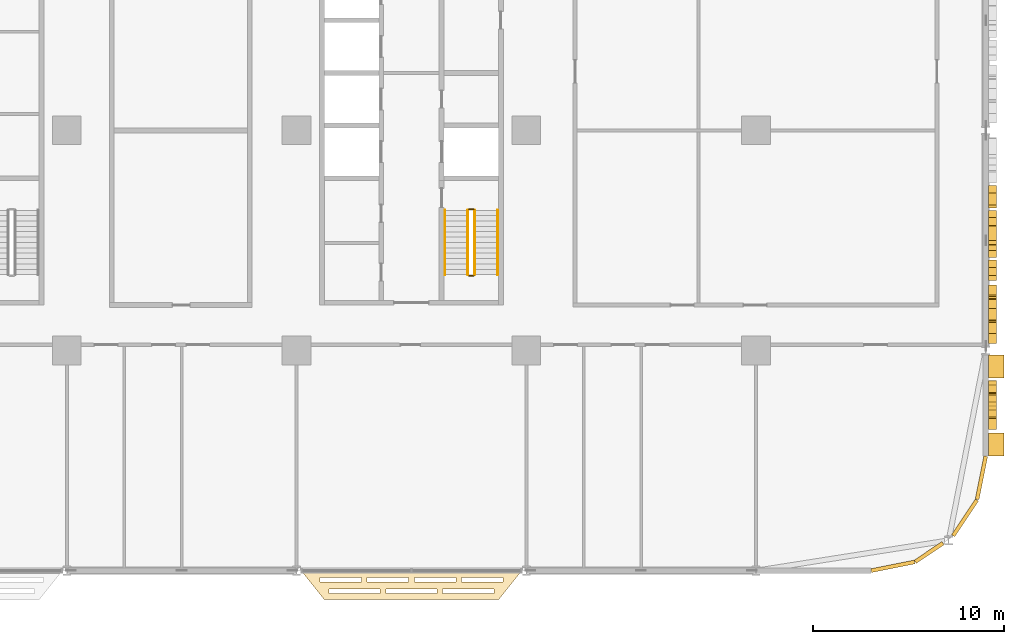
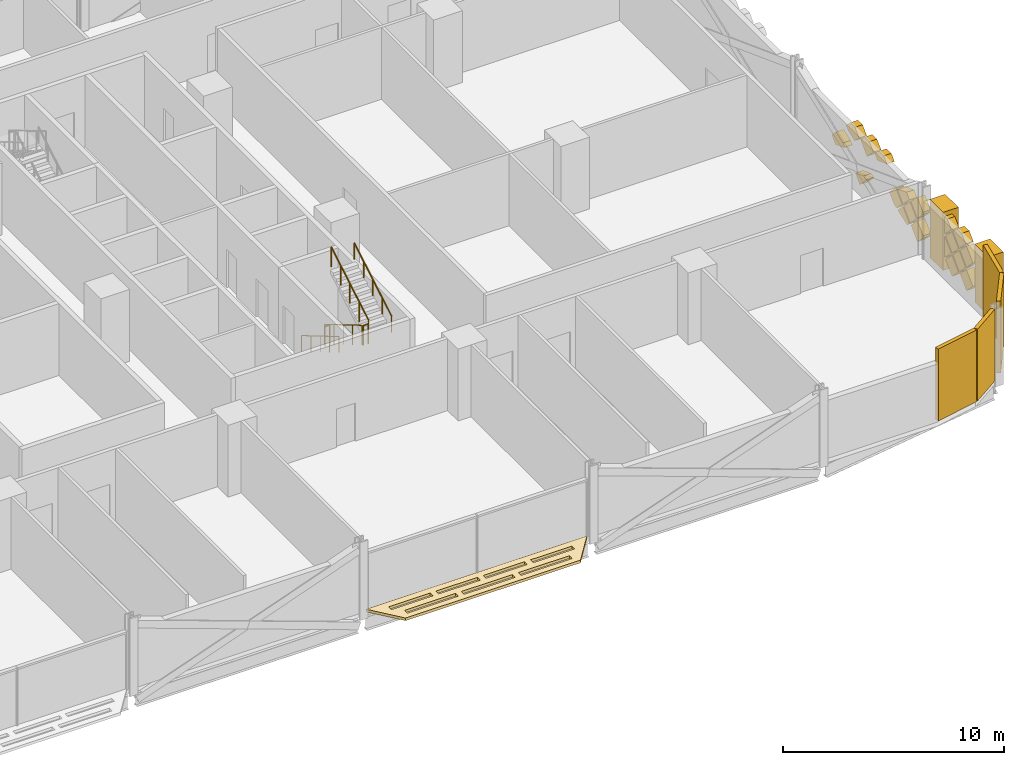
# One storey, part 28 of 29: 26 coverings, 6 railings.
"""IFC4 building model written with IfcOpenShell, lengths in metres."""

from ifc_helpers import new_model, si_unit, direction, frame, origin, origin_2d, place, context, subcontext, project, spatial, polyline, rectangle, circle, outline, extrude, material, layer, layer_set, type_object, element, save


model = new_model("IFC4")

# Units and contexts
model_context = context("Model", 3, precision=1e-05, world=origin(), true_north=direction((0.0, 1.0)))
body_context = subcontext(model_context, "Body", "Model", "MODEL_VIEW")
ifc_project = project(units=[si_unit("LENGTHUNIT", "METRE"), si_unit("AREAUNIT", "SQUARE_METRE"), si_unit("VOLUMEUNIT", "CUBIC_METRE"), si_unit("PLANEANGLEUNIT", "RADIAN"), si_unit("MASSUNIT", "GRAM", prefix="KILO")], contexts=[model_context])

# Site, building, storey
site_placement = place(None, origin())
site = spatial("IfcSite", under=ifc_project, at=site_placement, CompositionType="ELEMENT")
building_placement = place(site_placement, origin())
building = spatial("IfcBuilding", under=site, at=building_placement, Name="Mahtab Terrace Research Tower", CompositionType="ELEMENT")
storey_placement = place(building_placement, frame((0.0, 0.0, 67.5)))
storey = spatial("IfcBuildingStorey", under=building, at=storey_placement, Name="L15", CompositionType="ELEMENT", Elevation=67.5)

# Coverings
ifc_material_1 = material(Name="Black aluminium cladding panel", Category="aluminium")
ifc_layer_1 = layer(ifc_material_1, 0.199951171875)
ifc_layer_set_1 = layer_set([ifc_layer_1], Name="Black metal corner cladding 200")
covering_type_1 = type_object("IfcCoveringType", Name="Black metal corner cladding 200", PredefinedType="CLADDING", material=ifc_layer_set_1)
covering_1_placement = place(storey_placement, frame((49.14794921875, -22.771484375, 0.0), z_axis=(0.0, 0.0, 1.0), x_axis=(0.980760981187, 0.195212442692, 0.0)))
element("IfcCovering", 1, at=covering_1_placement, inside=storey, type_object=covering_type_1, Name="Corner cladding L15 31", PredefinedType="CLADDING", context=body_context, shape_type="SweptSolid", body=[
    extrude(rectangle(XDim=2.30126953125, YDim=0.199951171875, at=origin_2d()), origin(), (0.0, 0.0, 1.0), 3.9599609375),
])
covering_2_placement = place(storey_placement, frame((51.0380859375, -22.047607421875, 0.0), z_axis=(0.0, 0.0, 1.0), x_axis=(0.831655794326, 0.555291490808, 0.0)))
element("IfcCovering", 2, at=covering_2_placement, inside=storey, type_object=covering_type_1, Name="Corner cladding L15 32", PredefinedType="CLADDING", context=body_context, shape_type="SweptSolid", body=[
    extrude(rectangle(XDim=1.74462890625, YDim=0.199951171875, at=origin_2d()), origin(), (0.0, 0.0, 1.0), 3.9599609375),
])
covering_3_placement = place(storey_placement, frame((52.911376953125, -20.2421875, 0.0), z_axis=(0.0, 0.0, 1.0), x_axis=(0.555291490808, 0.831655794326, 0.0)))
element("IfcCovering", 3, at=covering_3_placement, inside=storey, type_object=covering_type_1, Name="Corner cladding L15 33", PredefinedType="CLADDING", context=body_context, shape_type="SweptSolid", body=[
    extrude(rectangle(XDim=2.235595703125, YDim=0.199951171875, at=origin_2d()), origin(), (0.0, 0.0, 1.0), 3.9599609375),
])
covering_4_placement = place(storey_placement, frame((53.771484375, -18.14794921875, 0.0), z_axis=(0.0, 0.0, 1.0), x_axis=(0.195212442692, 0.980760981187, 0.0)))
element("IfcCovering", 4, at=covering_4_placement, inside=storey, type_object=covering_type_1, Name="Corner cladding L15 34", PredefinedType="CLADDING", context=body_context, shape_type="SweptSolid", body=[
    extrude(rectangle(XDim=2.30126953125, YDim=0.199951171875, at=origin_2d()), origin(), (0.0, 0.0, 1.0), 3.9599609375),
])
ifc_material_2 = material(Name="Black anodised aluminium", Category="aluminium")
ifc_layer_2 = layer(ifc_material_2, 0.14990234375)
ifc_layer_set_2 = layer_set([ifc_layer_2], Name="Horizontal sunshade band")
covering_type_2 = type_object("IfcCoveringType", Name="Horizontal sunshade band", PredefinedType="CLADDING", material=ifc_layer_set_2)
covering_5_placement = place(storey_placement, frame((0.0, 0.0, -0.14990234375)))
element("IfcCovering", 5, at=covering_5_placement, inside=storey, type_object=covering_type_2, Name="Sunshade band L15 28", PredefinedType="CLADDING", context=body_context, shape_type="SweptSolid", body=[
    extrude(outline(polyline([(18.238037109375, -23.0), (29.761962890625, -23.0), (28.56201171875, -24.5), (19.43798828125, -24.5), (18.238037109375, -23.0)]), holes=[polyline([(19.218017578125, -23.35009765625), (21.384033203125, -23.35009765625), (21.384033203125, -23.60009765625), (19.218017578125, -23.60009765625), (19.218017578125, -23.35009765625)]), polyline([(21.68408203125, -23.35009765625), (23.85009765625, -23.35009765625), (23.85009765625, -23.60009765625), (21.68408203125, -23.60009765625), (21.68408203125, -23.35009765625)]), polyline([(24.14990234375, -23.35009765625), (26.31591796875, -23.35009765625), (26.31591796875, -23.60009765625), (24.14990234375, -23.60009765625), (24.14990234375, -23.35009765625)]), polyline([(26.615966796875, -23.35009765625), (28.781982421875, -23.35009765625), (28.781982421875, -23.60009765625), (26.615966796875, -23.60009765625), (26.615966796875, -23.35009765625)]), polyline([(19.697998046875, -23.949951171875), (22.365966796875, -23.949951171875), (22.365966796875, -24.199951171875), (19.697998046875, -24.199951171875), (19.697998046875, -23.949951171875)]), polyline([(22.666015625, -23.949951171875), (25.333984375, -23.949951171875), (25.333984375, -24.199951171875), (22.666015625, -24.199951171875), (22.666015625, -23.949951171875)]), polyline([(25.634033203125, -23.949951171875), (28.302001953125, -23.949951171875), (28.302001953125, -24.199951171875), (25.634033203125, -24.199951171875), (25.634033203125, -23.949951171875)])]), origin(), (0.0, 0.0, 1.0), 0.14990234375),
])
ifc_material_3 = material(Name="Bronze anodised aluminium", Category="aluminium")
ifc_layer_3 = layer(ifc_material_3, 0.39990234375)
ifc_layer_set_3 = layer_set([ifc_layer_3], Name="Mashrabiya relief panel 400")
covering_type_3 = type_object("IfcCoveringType", Name="Mashrabiya relief panel 400", PredefinedType="CLADDING", material=ifc_layer_set_3)
covering_6_placement = place(storey_placement, frame((54.14990234375, -15.050048828125, 1.330078125), z_axis=(-1.0, 0.0, 0.0), x_axis=(0.0, 0.707106781187, -0.707106781187)))
element("IfcCovering", 6, at=covering_6_placement, inside=storey, type_object=covering_type_3, Name="Mashrabiya lattice cell L15 E35.1", PredefinedType="CLADDING", context=body_context, shape_type="SweptSolid", body=[
    extrude(outline(polyline([(0.0, 0.0), (0.8203543516109556, 0.0), (0.8203543516109556, 0.8203543516109556), (0.0001726334915006511, 0.820181718119455), (0.0, 0.0)])), origin(), (0.0, 0.0, -1.0), 0.39990234375),
])
covering_7_placement = place(storey_placement, frame((54.14990234375, -15.050048828125, 2.6298828125), z_axis=(-1.0, 0.0, 0.0), x_axis=(0.0, 0.707255598772, -0.706957932274)))
element("IfcCovering", 7, at=covering_7_placement, inside=storey, type_object=covering_type_3, Name="Mashrabiya lattice cell L15 E35.2", PredefinedType="CLADDING", context=body_context, shape_type="SweptSolid", body=[
    extrude(outline(polyline([(0.0, 0.0), (0.8201817362875763, 0.0), (0.8200090664636573, 0.8203543334390104), (-0.00017259715143413956, 0.8200090664636573), (0.0, 0.0)])), origin(), (0.0, 0.0, -1.0), 0.39990234375),
])
covering_8_placement = place(storey_placement, frame((54.14990234375, -14.39990234375, 1.97998046875), z_axis=(-1.0, 0.0, 0.0), x_axis=(0.0, 0.706957932274, -0.707255598772)))
element("IfcCovering", 8, at=covering_8_placement, inside=storey, type_object=covering_type_3, Name="Mashrabiya lattice cell L15 E35.3", PredefinedType="CLADDING", context=body_context, shape_type="SweptSolid", body=[
    extrude(outline(polyline([(0.0, 0.0), (0.8201817362875763, 0.0), (0.8203543334390104, 0.8200090664636573), (0.00017266982391900276, 0.8203543334390104), (0.0, 0.0)])), origin(), (0.0, 0.0, -1.0), 0.39990234375),
])
covering_9_placement = place(storey_placement, frame((54.14990234375, -13.820068359375, 2.699951171875), z_axis=(-1.0, 0.0, 0.0), x_axis=(0.0, -0.707106781187, -0.707106781187)))
element("IfcCovering", 9, at=covering_9_placement, inside=storey, type_object=covering_type_3, Name="Mashrabiya lattice cell L15 E35.4", PredefinedType="CLADDING", context=body_context, shape_type="SweptSolid", body=[
    extrude(outline(polyline([(0.0, 0.0), (0.8200090846279543, 0.0), (0.820181718119455, 0.820181718119455), (0.2996917412450798, 0.8203543516109556), (-0.0001726334915005956, 0.5204899768743751), (0.0, 0.0)])), origin(), (0.0, 0.0, -1.0), 0.39990234375),
])
covering_10_placement = place(storey_placement, frame((54.14990234375, -13.75, 1.330078125), z_axis=(-1.0, 0.0, 0.0), x_axis=(0.0, 0.707106781187, -0.707106781187)))
element("IfcCovering", 10, at=covering_10_placement, inside=storey, type_object=covering_type_3, Name="Mashrabiya lattice cell L15 E35.5", PredefinedType="CLADDING", context=body_context, shape_type="SweptSolid", body=[
    extrude(outline(polyline([(0.0, 0.0), (0.8203543516109556, 0.0), (0.8203543516109556, 0.8203543516109556), (0.0, 0.8203543516109556), (0.0, 0.0)])), origin(), (0.0, 0.0, -1.0), 0.39990234375),
])
covering_11_placement = place(storey_placement, frame((54.14990234375, -13.75, 2.6298828125), z_axis=(-1.0, 0.0, 0.0), x_axis=(0.0, 0.707255598772, -0.706957932274)))
element("IfcCovering", 11, at=covering_11_placement, inside=storey, type_object=covering_type_3, Name="Mashrabiya lattice cell L15 E35.6", PredefinedType="CLADDING", context=body_context, shape_type="SweptSolid", body=[
    extrude(outline(polyline([(0.0, 0.0), (0.8201817362875763, 0.0), (0.8200090664636573, 0.8203543334390104), (-0.0003452669753531423, 0.8201816636150915), (0.0, 0.0)])), origin(), (0.0, 0.0, -1.0), 0.39990234375),
])
covering_12_placement = place(storey_placement, frame((54.14990234375, -13.10009765625, 0.820068359375), z_axis=(-1.0, 0.0, 0.0), x_axis=(0.0, -0.707106781187, 0.707106781187)))
element("IfcCovering", 12, at=covering_12_placement, inside=storey, type_object=covering_type_3, Name="Mashrabiya lattice cell L15 E35.7", PredefinedType="CLADDING", context=body_context, shape_type="SweptSolid", body=[
    extrude(outline(polyline([(0.0, 0.0), (0.8200090846279543, 0.0), (0.820181718119455, 0.820181718119455), (0.7818570830063168, 0.820181718119455), (-0.00017263349150062335, 0.038152001621637455), (0.0, 0.0)])), origin(), (0.0, 0.0, -1.0), 0.39990234375),
])
covering_13_placement = place(storey_placement, frame((54.14990234375, -13.10009765625, 2.1201171875), z_axis=(-1.0, 0.0, 0.0), x_axis=(0.0, -0.707106781187, 0.707106781187)))
element("IfcCovering", 13, at=covering_13_placement, inside=storey, type_object=covering_type_3, Name="Mashrabiya lattice cell L15 E35.8", PredefinedType="CLADDING", context=body_context, shape_type="SweptSolid", body=[
    extrude(outline(polyline([(0.0, 0.0), (0.8200090846279543, 0.0), (0.820181718119455, 0.5204899768743753), (0.651173529940346, 0.6894981650534842), (-0.00017263349150062335, 0.038152001621637455), (0.0, 0.0)])), origin(), (0.0, 0.0, -1.0), 0.39990234375),
])
covering_14_placement = place(storey_placement, frame((54.14990234375, -11.126953125, 0.68505859375), z_axis=(-1.0, 0.0, 0.0), x_axis=(0.0, 0.0, 1.0)))
element("IfcCovering", 14, at=covering_14_placement, inside=storey, type_object=covering_type_3, Name="Mashrabiya lattice cell L15 E36.1", PredefinedType="CLADDING", context=body_context, shape_type="SweptSolid", body=[
    extrude(outline(polyline([(0.0, 0.0), (0.1298828125, 0.0), (0.64501953125, 0.514892578125), (0.06494140625, 1.094970703125), (-0.486083984375, 0.5439453125), (-0.501953125, 0.501953125), (0.0, 0.0)])), origin(), (0.0, 0.0, -1.0), 0.39990234375),
])
covering_15_placement = place(storey_placement, frame((54.14990234375, -10.612060546875, 2.6298828125), z_axis=(-1.0, 0.0, 0.0), x_axis=(0.0, 0.707255598772, -0.706957932274)))
element("IfcCovering", 15, at=covering_15_placement, inside=storey, type_object=covering_type_3, Name="Mashrabiya lattice cell L15 E36.2", PredefinedType="CLADDING", context=body_context, shape_type="SweptSolid", body=[
    extrude(outline(polyline([(0.0, 0.0), (0.8201817362875763, 0.0), (0.8200090664636573, 0.8203543334390104), (0.0916684182924955, 0.820028397344618), (-0.0001532662704735177, 0.7281680510197277), (0.0, 0.0)])), origin(), (0.0, 0.0, -1.0), 0.39990234375),
])
covering_16_placement = place(storey_placement, frame((54.14990234375, -9.9619140625, 1.97998046875), z_axis=(-1.0, 0.0, 0.0), x_axis=(0.0, 0.706957932274, -0.707255598772)))
element("IfcCovering", 16, at=covering_16_placement, inside=storey, type_object=covering_type_3, Name="Mashrabiya lattice cell L15 E36.3", PredefinedType="CLADDING", context=body_context, shape_type="SweptSolid", body=[
    extrude(outline(polyline([(0.0, 0.0), (0.8201817362875763, 0.0), (0.8203543334390104, 0.8200090664636573), (0.00017266982391900276, 0.8203543334390104), (0.0, 0.0)])), origin(), (0.0, 0.0, -1.0), 0.39990234375),
])
covering_17_placement = place(storey_placement, frame((54.14990234375, -9.89208984375, 0.75), z_axis=(-1.0, 0.0, 0.0), x_axis=(0.0, 0.707106781187, 0.707106781187)))
element("IfcCovering", 17, at=covering_17_placement, inside=storey, type_object=covering_type_3, Name="Mashrabiya lattice cell L15 E36.4", PredefinedType="CLADDING", context=body_context, shape_type="SweptSolid", body=[
    extrude(outline(polyline([(0.0, 0.0), (0.8203543516109556, 0.0), (0.8203543516109556, 0.6746516847844307), (0.00017263349150062335, 0.30124544266858533), (0.0, 0.0)])), origin(), (0.0, 0.0, -1.0), 0.39990234375),
])
covering_18_placement = place(storey_placement, frame((54.14990234375, -9.31201171875, 1.469970703125), z_axis=(-1.0, 0.0, 0.0), x_axis=(0.0, -0.707106781187, 0.707106781187)))
element("IfcCovering", 18, at=covering_18_placement, inside=storey, type_object=covering_type_3, Name="Mashrabiya lattice cell L15 E36.5", PredefinedType="CLADDING", context=body_context, shape_type="SweptSolid", body=[
    extrude(outline(polyline([(0.0, 0.0), (0.8203543516109556, 0.0), (0.8203543516109556, 0.3663282689643198), (0.0, 0.7395618775886645), (0.0, 0.0)])), origin(), (0.0, 0.0, -1.0), 0.39990234375),
])
covering_19_placement = place(storey_placement, frame((54.14990234375, -9.241943359375, 1.39990234375), z_axis=(-1.0, 0.0, 0.0), x_axis=(0.0, 0.706951253472, 0.707262274701)))
element("IfcCovering", 19, at=covering_19_placement, inside=storey, type_object=covering_type_3, Name="Mashrabiya lattice cell L15 E36.6", PredefinedType="CLADDING", context=body_context, shape_type="SweptSolid", body=[
    extrude(outline(polyline([(0.0, 0.0), (0.7849645048365574, 0.0), (0.8203372468654967, 0.07786548590792092), (0.8200013196396647, 0.8203620769294314), (0.21906418822525364, 0.8200572821996643), (1.4351321356742552e-05, 0.7197090466274312), (0.0, 0.0)])), origin(), (0.0, 0.0, -1.0), 0.39990234375),
])
covering_20_placement = place(storey_placement, frame((54.14990234375, -6.781982421875, 2.699951171875), z_axis=(-1.0, 0.0, 0.0), x_axis=(0.0, -0.707492020426, -0.70672133195)))
element("IfcCovering", 20, at=covering_20_placement, inside=storey, type_object=covering_type_3, Name="Mashrabiya lattice cell L15 E36.7", PredefinedType="CLADDING", context=body_context, shape_type="SweptSolid", body=[
    extrude(outline(polyline([(0.0, 0.0), (0.3167825039427363, 0.0), (0.6906356560590083, 0.8199781052206124), (0.30013875626957, 0.8201909100706339), (0.00011101225597937026, 0.5204899936649013), (0.0, 0.0)])), origin(), (0.0, 0.0, -1.0), 0.39990234375),
])
covering_21_placement = place(storey_placement, frame((54.14990234375, -6.64208984375, 2.699951171875), z_axis=(-1.0, 0.0, 0.0), x_axis=(0.0, 0.707106781187, 0.707106781187)))
element("IfcCovering", 21, at=covering_21_placement, inside=storey, type_object=covering_type_3, Name="Mashrabiya lattice cell L15 E36.8", PredefinedType="CLADDING", context=body_context, shape_type="SweptSolid", body=[
    extrude(outline(polyline([(0.0, 0.0), (0.5206626103658758, 0.0), (0.8203543516109556, 0.2996917412450798), (0.8203543516109556, 0.8203543516109556), (0.002934769355510569, 0.8201817181194551), (0.0, 0.0)])), origin(), (0.0, 0.0, -1.0), 0.39990234375),
])
covering_22_placement = place(storey_placement, frame((54.14990234375, -5.412109375, 0.169921875), z_axis=(-1.0, 0.0, 0.0), x_axis=(0.0, -0.706957932274, 0.707255598772)))
element("IfcCovering", 22, at=covering_22_placement, inside=storey, type_object=covering_type_3, Name="Mashrabiya lattice cell L15 E36.9", PredefinedType="CLADDING", context=body_context, shape_type="SweptSolid", body=[
    extrude(outline(polyline([(0.0, 0.0), (0.8201817362875763, 0.0), (0.8201894395709667, 0.03659829938743059), (0.7247673420928388, 0.2467133478318546), (-5.1161429309332096e-05, 0.5771137856389806), (0.0, 0.0)])), origin(), (0.0, 0.0, -1.0), 0.39990234375),
])
covering_23_placement = place(storey_placement, frame((54.14990234375, -5.342041015625, 2.699951171875), z_axis=(-1.0, 0.0, 0.0), x_axis=(0.0, 0.706872212693, 0.707341271892)))
element("IfcCovering", 23, at=covering_23_placement, inside=storey, type_object=covering_type_3, Name="Mashrabiya lattice cell L15 E36.10", PredefinedType="CLADDING", context=body_context, shape_type="SweptSolid", body=[
    extrude(outline(polyline([(0.0, 0.0), (0.5204900055034775, 5.551115123125783e-17), (0.8202549062476894, 0.299963815741388), (0.8200822155074813, 0.8206263974686675), (0.5768416966205461, 0.820373087178654), (-0.00018482947924125526, 0.5572608799123536), (0.0, 0.0)])), origin(), (0.0, 0.0, -1.0), 0.39990234375),
])
covering_24_placement = place(storey_placement, frame((54.14990234375, -4.0419921875, 1.39990234375), z_axis=(-1.0, 0.0, 0.0), x_axis=(0.0, 0.707106781187, 0.707106781187)))
element("IfcCovering", 24, at=covering_24_placement, inside=storey, type_object=covering_type_3, Name="Mashrabiya lattice cell L15 E36.11", PredefinedType="CLADDING", context=body_context, shape_type="SweptSolid", body=[
    extrude(outline(polyline([(0.0, 0.0), (0.21648239834177996, 0.0), (0.820181718119455, 0.2756956859264933), (0.820181718119455, 0.820181718119455), (0.3409511457137283, 0.820181718119455), (0.0, 0.07354186737926496), (0.0, 0.0)])), origin(), (0.0, 0.0, -1.0), 0.39990234375),
])
ifc_material_4 = material(Name="Glazed ceramic tile cladding", Category="masonry")
ifc_layer_4 = layer(ifc_material_4, 0.800048828125)
ifc_layer_set_4 = layer_set([ifc_layer_4], Name="Pishtaq frame pier 800")
covering_type_4 = type_object("IfcCoveringType", Name="Pishtaq frame pier 800", PredefinedType="CLADDING", material=ifc_layer_set_4)
for number, where, z_axis, x_axis, name in (
    (25, (54.550048828125, -16.39990234375, 0.00048828125), (0.0, 0.0, 1.0), (0.0, 1.0, 0.0), "Pishtaq frame pier 35a"),
    (26, (54.550048828125, -12.337890625, 0.00048828125), (0.0, 0.0, 1.0), (0.0, 1.0, 0.0), "Pishtaq frame pier 35b"),
):
    element("IfcCovering", number, at=place(storey_placement, frame(where, z_axis=z_axis, x_axis=x_axis)), inside=storey, type_object=covering_type_4, Name=name, PredefinedType="CLADDING", context=body_context, shape_type="SweptSolid", body=[
        extrude(rectangle(XDim=1.199951171875, YDim=0.800048828125, at=origin_2d()), origin(), (0.0, 0.0, 1.0), 3.202880859375),
    ])

# Railings
ifc_material_5 = material(Name="Stainless steel AISI 304", Category="steel")
railing_type_1 = type_object("IfcRailingType", Name="Stair guard 1100", PredefinedType="GUARDRAIL", material=ifc_material_5)
railing_1_placement = place(storey_placement, frame((26.949951171875, -4.175048828125, 0.165283203125)))
element("IfcRailing", 27, at=railing_1_placement, inside=storey, type_object=railing_type_1, Name="L15 ST4 stair guard 1", PredefinedType="GUARDRAIL", context=body_context, shape_type="SweptSolid", body=[
    extrude(circle(Radius=0.02392578125, at=origin_2d()), frame((0.0, 0.0, 1.076171875), z_axis=(0.0, -0.861011212953, 0.508585972249), x_axis=(1.0, 0.0, 0.0)), (0.0, 0.0, 1.0), 3.90234375),
    extrude(circle(Radius=0.02099609375, at=origin_2d()), origin(), (0.0, 0.0, 1.0), 1.052001953125),
    extrude(circle(Radius=0.02099609375, at=origin_2d()), frame((0.0, -0.83984375, 0.49609375)), (0.0, 0.0, 1.0), 1.052001953125),
    extrude(circle(Radius=0.02099609375, at=origin_2d()), frame((0.0, -1.679931640625, 0.9921875)), (0.0, 0.0, 1.0), 1.052001953125),
    extrude(circle(Radius=0.02099609375, at=origin_2d()), frame((0.0, -2.52001953125, 1.488525390625)), (0.0, 0.0, 1.0), 1.052001953125),
    extrude(circle(Radius=0.02099609375, at=origin_2d()), frame((0.0, -3.35986328125, 1.984619140625)), (0.0, 0.0, 1.0), 1.052001953125),
])
railing_2_placement = place(storey_placement, frame((27.0, -7.5849609375, 2.14990234375)))
element("IfcRailing", 28, at=railing_2_placement, inside=storey, type_object=railing_type_1, Name="L15 ST4 stair guard 2", PredefinedType="GUARDRAIL", context=body_context, shape_type="SweptSolid", body=[
    extrude(circle(Radius=0.02392578125, at=origin_2d()), frame((0.0, 0.0, 1.076171875), z_axis=(1.0, 0.0, 0.0), x_axis=(0.0, 1.0, 0.0)), (0.0, 0.0, 1.0), 0.25),
    extrude(circle(Radius=0.02099609375, at=origin_2d()), origin(), (0.0, 0.0, 1.0), 1.052001953125),
    extrude(circle(Radius=0.02099609375, at=origin_2d()), frame((0.25, 0.0, 0.0)), (0.0, 0.0, 1.0), 1.052001953125),
])
railing_3_placement = place(storey_placement, frame((27.300048828125, -7.534912109375, 2.3154296875)))
element("IfcRailing", 29, at=railing_3_placement, inside=storey, type_object=railing_type_1, Name="L15 ST4 stair guard 3", PredefinedType="GUARDRAIL", context=body_context, shape_type="SweptSolid", body=[
    extrude(circle(Radius=0.02392578125, at=origin_2d()), frame((0.0, 0.0, 1.076171875), z_axis=(0.0, 0.861011212953, 0.508585972249), x_axis=(-1.0, 0.0, 0.0)), (0.0, 0.0, 1.0), 3.90234375),
    extrude(circle(Radius=0.02099609375, at=origin_2d()), origin(), (0.0, 0.0, 1.0), 1.052001953125),
    extrude(circle(Radius=0.02099609375, at=origin_2d()), frame((0.0, 0.83984375, 0.49609375)), (0.0, 0.0, 1.0), 1.052001953125),
    extrude(circle(Radius=0.02099609375, at=origin_2d()), frame((0.0, 1.679931640625, 0.9921875)), (0.0, 0.0, 1.0), 1.052001953125),
    extrude(circle(Radius=0.02099609375, at=origin_2d()), frame((0.0, 2.52001953125, 1.488525390625)), (0.0, 0.0, 1.0), 1.052001953125),
    extrude(circle(Radius=0.02099609375, at=origin_2d()), frame((0.0, 3.35986328125, 1.984619140625)), (0.0, 0.0, 1.0), 1.052001953125),
])
railing_4_placement = place(storey_placement, frame((27.0, -4.125, 0.0)))
element("IfcRailing", 30, at=railing_4_placement, inside=storey, type_object=railing_type_1, Name="L15 ST4 stair guard 4", PredefinedType="GUARDRAIL", context=body_context, shape_type="SweptSolid", body=[
    extrude(circle(Radius=0.02392578125, at=origin_2d()), frame((0.0, 0.0, 1.076171875), z_axis=(1.0, 0.0, 0.0), x_axis=(0.0, 1.0, 0.0)), (0.0, 0.0, 1.0), 0.25),
    extrude(circle(Radius=0.02099609375, at=origin_2d()), origin(), (0.0, 0.0, 1.0), 1.052001953125),
    extrude(circle(Radius=0.02099609375, at=origin_2d()), frame((0.25, 0.0, 0.0)), (0.0, 0.0, 1.0), 1.052001953125),
])
railing_type_2 = type_object("IfcRailingType", Name="Stair handrail 900", PredefinedType="HANDRAIL", material=ifc_material_5)
railing_5_placement = place(storey_placement, frame((25.75, -4.175048828125, 0.165283203125)))
element("IfcRailing", 31, at=railing_5_placement, inside=storey, type_object=railing_type_2, Name="L15 ST4 stair handrail 1", PredefinedType="HANDRAIL", context=body_context, shape_type="SweptSolid", body=[
    extrude(circle(Radius=0.02392578125, at=origin_2d()), frame((0.0, 0.0, 0.8759765625), z_axis=(0.0, -0.861011212953, 0.508585972249), x_axis=(1.0, 0.0, 0.0)), (0.0, 0.0, 1.0), 3.90234375),
    extrude(circle(Radius=0.02099609375, at=origin_2d()), origin(), (0.0, 0.0, 1.0), 0.851806640625),
    extrude(circle(Radius=0.02099609375, at=origin_2d()), frame((0.0, -0.83984375, 0.49609375)), (0.0, 0.0, 1.0), 0.851806640625),
    extrude(circle(Radius=0.02099609375, at=origin_2d()), frame((0.0, -1.679931640625, 0.9921875)), (0.0, 0.0, 1.0), 0.851806640625),
    extrude(circle(Radius=0.02099609375, at=origin_2d()), frame((0.0, -2.52001953125, 1.488525390625)), (0.0, 0.0, 1.0), 0.851806640625),
    extrude(circle(Radius=0.02099609375, at=origin_2d()), frame((0.0, -3.35986328125, 1.984619140625)), (0.0, 0.0, 1.0), 0.851806640625),
])
railing_6_placement = place(storey_placement, frame((28.5, -7.534912109375, 2.3154296875)))
element("IfcRailing", 32, at=railing_6_placement, inside=storey, type_object=railing_type_2, Name="L15 ST4 stair handrail 2", PredefinedType="HANDRAIL", context=body_context, shape_type="SweptSolid", body=[
    extrude(circle(Radius=0.02392578125, at=origin_2d()), frame((0.0, 0.0, 0.8759765625), z_axis=(0.0, 0.861011212953, 0.508585972249), x_axis=(-1.0, 0.0, 0.0)), (0.0, 0.0, 1.0), 3.90234375),
    extrude(circle(Radius=0.02099609375, at=origin_2d()), origin(), (0.0, 0.0, 1.0), 0.851806640625),
    extrude(circle(Radius=0.02099609375, at=origin_2d()), frame((0.0, 0.83984375, 0.49609375)), (0.0, 0.0, 1.0), 0.851806640625),
    extrude(circle(Radius=0.02099609375, at=origin_2d()), frame((0.0, 1.679931640625, 0.9921875)), (0.0, 0.0, 1.0), 0.851806640625),
    extrude(circle(Radius=0.02099609375, at=origin_2d()), frame((0.0, 2.52001953125, 1.488525390625)), (0.0, 0.0, 1.0), 0.851806640625),
    extrude(circle(Radius=0.02099609375, at=origin_2d()), frame((0.0, 3.35986328125, 1.984619140625)), (0.0, 0.0, 1.0), 0.851806640625),
])

save(model, "model.ifc")
